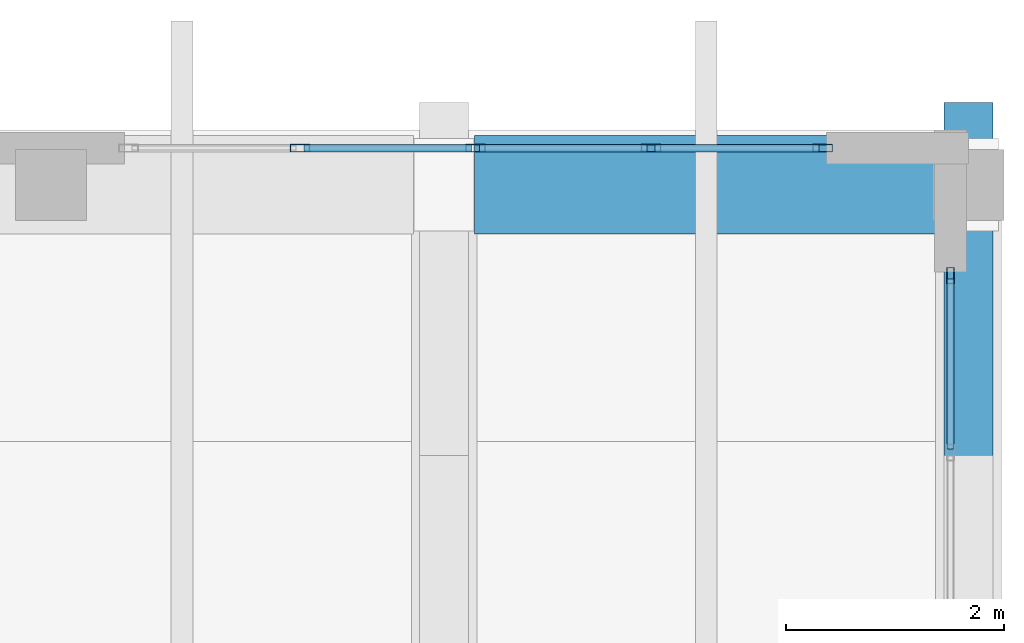
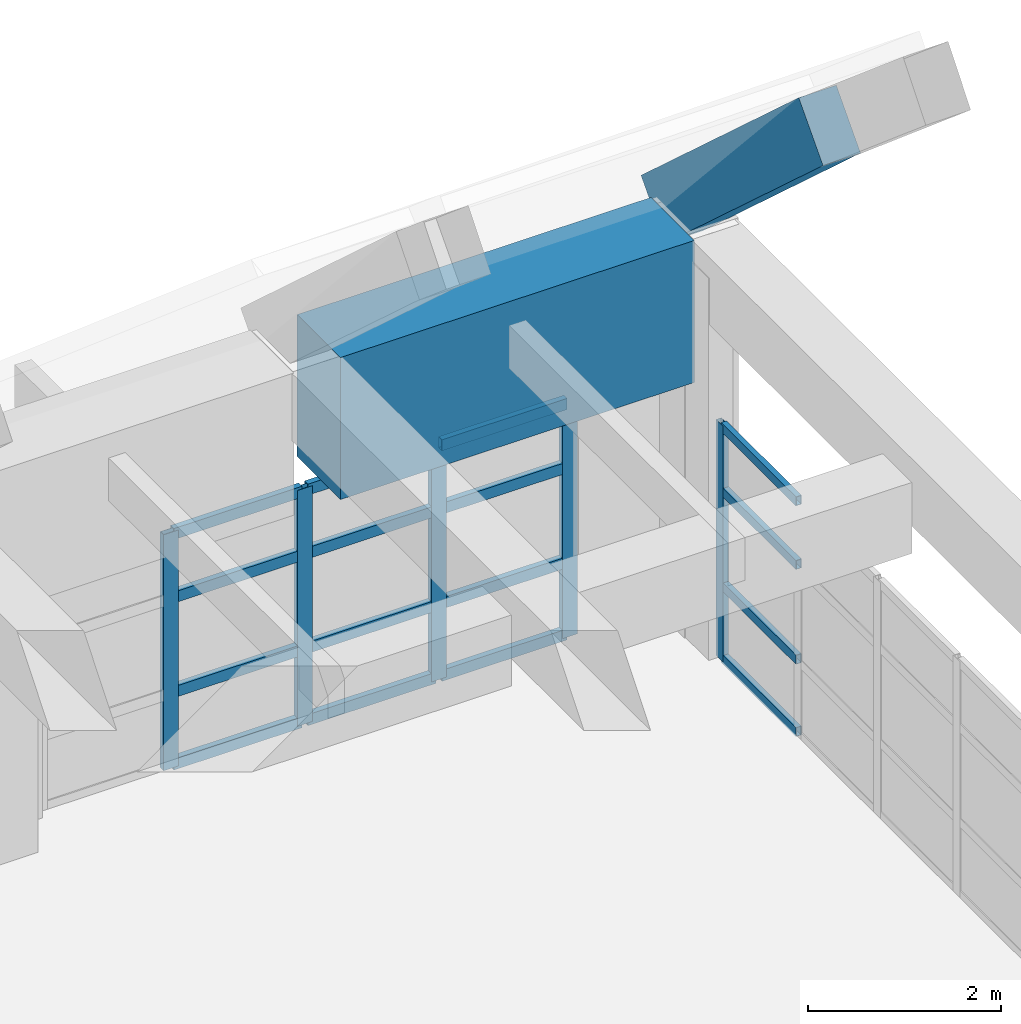
# One storey, part 54 of 78: 21 members, 2 beams, 2 elements without a shape of their own.
"""IFC4 building model written with IfcOpenShell, lengths in metres."""

from ifc_helpers import new_model, si_unit, direction, frame, origin, origin_2d, place, context, subcontext, project, spatial, rectangle, hollow_rectangle, extrude, material, layer, layer_set, material_profile, profile_set, type_object, element, aggregate, save


model = new_model("IFC4")

# Units and contexts
model_context = context("Model", 3, precision=1e-05, world=origin(), true_north=direction((0.0, 1.0)))
body_context = subcontext(model_context, "Body", "Model", "MODEL_VIEW")
ifc_project = project(units=[si_unit("LENGTHUNIT", "METRE"), si_unit("AREAUNIT", "SQUARE_METRE"), si_unit("VOLUMEUNIT", "CUBIC_METRE"), si_unit("PLANEANGLEUNIT", "RADIAN"), si_unit("MASSUNIT", "GRAM", prefix="KILO")], contexts=[model_context])

# Site, building, storey
site_placement = place(None, origin())
site = spatial("IfcSite", under=ifc_project, at=site_placement, CompositionType="ELEMENT")
building_placement = place(site_placement, origin())
building = spatial("IfcBuilding", under=site, at=building_placement, Name="Quendrovan Civic Courthouse", CompositionType="ELEMENT")
storey_placement = place(building_placement, frame((0.0, 0.0, 20.39990234375)))
storey = spatial("IfcBuildingStorey", under=building, at=storey_placement, Name="L05", CompositionType="ELEMENT", Elevation=20.39990234375)

# Beams
ifc_material_1 = material(Name="Concrete C45/55", Category="concrete")
ifc_material_profile_1 = material_profile(ifc_material_1, rectangle(XDim=0.89990234375, YDim=1.800048828125, at=origin_2d()), Name="RC-TG-900x1800")
ifc_profile_set_1 = profile_set([ifc_material_profile_1], Name="Concrete C45/55")
beam_type_1 = type_object("IfcBeamType", Name="BM-TG1800", PredefinedType="BEAM", material=ifc_profile_set_1)
beam_1_placement = place(storey_placement, frame((138.280029296875, 109.89990234375, 4.2001953125), z_axis=(1.0, 0.0, 0.0), x_axis=(0.0, 1.0, 0.0)))
element("IfcBeam", 1, at=beam_1_placement, inside=storey, type_object=beam_type_1, Name="BV1 Springing Collector Girder N-7", PredefinedType="BEAM", context=body_context, shape_type="SweptSolid", body=[
    extrude(rectangle(XDim=0.89990234375, YDim=1.800048828125, at=origin_2d()), origin(), (0.0, 0.0, 1.0), 4.239990234375),
])
ifc_material_2 = material(Name="Concrete C40/50", Category="concrete")
ifc_material_profile_2 = material_profile(ifc_material_2, rectangle(XDim=0.449951171875, YDim=0.75, at=origin_2d()), Name="RC-VRIB-450x750")
ifc_profile_set_2 = profile_set([ifc_material_profile_2], Name="Concrete C40/50")
beam_type_2 = type_object("IfcBeamType", Name="BM-VRIB750", PredefinedType="BEAM", material=ifc_profile_set_2)
beam_2_placement = place(storey_placement, frame((142.800048828125, 107.123291015625, 7.871826171875), z_axis=(0.0, 0.740733725172, -0.671798740988), x_axis=(-1.0, 0.0, 0.0)))
element("IfcBeam", 2, at=beam_2_placement, inside=storey, type_object=beam_type_2, Name="BV1 Concrete Vault Arch Rib A8-C8", PredefinedType="BEAM", context=body_context, shape_type="SweptSolid", body=[
    extrude(rectangle(XDim=0.449951171875, YDim=0.75, at=origin_2d()), origin(), (0.0, 0.0, 1.0), 4.423583984375),
])

# Curtain wall, members
ifc_material_3 = material(Name="Bronze anodised aluminium and low-E glass", Category="aluminium")
ifc_layer_1 = layer(ifc_material_3, 0.179931640625, Name="Bronze anodised aluminium and low-E glass")
ifc_layer_set_1 = layer_set([ifc_layer_1], Name="Bronze anodised aluminium and low-E glass")
curtain_wall_type_1 = type_object("IfcCurtainWallType", Name="CW-U64x30", PredefinedType="USERDEFINED", material=ifc_layer_set_1)
curtain_wall_1_placement = place(storey_placement, origin())
curtain_wall_1 = element("IfcCurtainWall", 3, at=curtain_wall_1_placement, inside=storey, type_object=curtain_wall_type_1, Name="L05 Unitised Hurricane Curtain Wall CW-194", ObjectType="UNITISED CURTAIN WALL", PredefinedType="USERDEFINED")
ifc_material_4 = material(Name="Bronze anodised aluminium", Category="aluminium")
ifc_material_profile_3 = material_profile(ifc_material_4, hollow_rectangle(XDim=0.070068359375, YDim=0.179931640625, WallThickness=0.00390625, at=origin_2d()), Name="CW-MULL-70x180")
ifc_profile_set_3 = profile_set([ifc_material_profile_3], Name="Bronze anodised aluminium")
member_type_1 = type_object("IfcMemberType", Name="CW-MULL-A", PredefinedType="MULLION", material=ifc_profile_set_3)
member_1_placement = place(storey_placement, frame((136.68115234375, 110.235107421875, 0.0), z_axis=(0.0, 0.0, 1.0), x_axis=(0.0, 1.0, 0.0)))
member_1 = element("IfcMember", 4, at=member_1_placement, type_object=member_type_1, Name="CW-194 mullion 2", PredefinedType="MULLION", context=body_context, shape_type="SweptSolid", body=[
    extrude(hollow_rectangle(XDim=0.070068359375, YDim=0.179931640625, WallThickness=0.00390625, at=origin_2d()), origin(), (0.0, 0.0, 1.0), 2.989990234375),
])
member_2_placement = place(storey_placement, frame((138.28759765625, 110.235107421875, 0.0), z_axis=(0.0, 0.0, 1.0), x_axis=(0.0, 1.0, 0.0)))
member_2 = element("IfcMember", 5, at=member_2_placement, type_object=member_type_1, Name="CW-194 mullion 3", PredefinedType="MULLION", context=body_context, shape_type="SweptSolid", body=[
    extrude(hollow_rectangle(XDim=0.070068359375, YDim=0.179931640625, WallThickness=0.00390625, at=origin_2d()), origin(), (0.0, 0.0, 1.0), 2.989990234375),
])
member_3_placement = place(storey_placement, frame((139.893798828125, 110.235107421875, 0.0), z_axis=(0.0, 0.0, 1.0), x_axis=(0.0, 1.0, 0.0)))
member_3 = element("IfcMember", 6, at=member_3_placement, type_object=member_type_1, Name="CW-194 mullion 4", PredefinedType="MULLION", context=body_context, shape_type="SweptSolid", body=[
    extrude(hollow_rectangle(XDim=0.070068359375, YDim=0.179931640625, WallThickness=0.00390625, at=origin_2d()), origin(), (0.0, 0.0, 1.0), 2.989990234375),
])
member_4_placement = place(storey_placement, frame((141.465087890625, 110.235107421875, 0.0), z_axis=(0.0, 0.0, 1.0), x_axis=(0.0, 1.0, 0.0)))
member_4 = element("IfcMember", 7, at=member_4_placement, type_object=member_type_1, Name="CW-194 mullion 5", PredefinedType="MULLION", context=body_context, shape_type="SweptSolid", body=[
    extrude(hollow_rectangle(XDim=0.070068359375, YDim=0.179931640625, WallThickness=0.00390625, at=origin_2d()), origin(), (0.0, 0.0, 1.0), 2.989990234375),
])

# Curtain wall, member
ifc_layer_2 = layer(ifc_material_3, 0.179931640625, Name="Bronze anodised aluminium and low-E glass")
ifc_layer_set_2 = layer_set([ifc_layer_2], Name="Bronze anodised aluminium and low-E glass")
curtain_wall_type_2 = type_object("IfcCurtainWallType", Name="CW-U66x30", PredefinedType="USERDEFINED", material=ifc_layer_set_2)
curtain_wall_2_placement = place(storey_placement, origin())
curtain_wall_2 = element("IfcCurtainWall", 8, at=curtain_wall_2_placement, inside=storey, type_object=curtain_wall_type_2, Name="L05 Unitised Hurricane Curtain Wall CW-195", ObjectType="UNITISED CURTAIN WALL", PredefinedType="USERDEFINED")
ifc_material_profile_4 = material_profile(ifc_material_4, hollow_rectangle(XDim=0.06494140625, YDim=0.14990234375, WallThickness=0.00390625, at=origin_2d()), Name="CW-MULL-65x150")
ifc_profile_set_4 = profile_set([ifc_material_profile_4], Name="Bronze anodised aluminium")
member_type_2 = type_object("IfcMemberType", Name="CW-MULL-B", PredefinedType="MULLION", material=ifc_profile_set_4)
member_5_placement = place(storey_placement, frame((142.635009765625, 109.0673828125, 0.0), z_axis=(0.0, 0.0, 1.0), x_axis=(1.0, 0.0, 0.0)))
member_5 = element("IfcMember", 9, at=member_5_placement, type_object=member_type_2, Name="CW-195 mullion 1", PredefinedType="MULLION", context=body_context, shape_type="SweptSolid", body=[
    extrude(hollow_rectangle(XDim=0.06494140625, YDim=0.14990234375, WallThickness=0.00390625, at=origin_2d()), origin(), (0.0, 0.0, 1.0), 2.989990234375),
])

# Member
ifc_material_profile_5 = material_profile(ifc_material_4, hollow_rectangle(XDim=0.070068359375, YDim=0.139892578125, WallThickness=0.00390625, at=origin_2d()), Name="CW-TRAN-70x140")
ifc_profile_set_5 = profile_set([ifc_material_profile_5], Name="Bronze anodised aluminium")
member_type_3 = type_object("IfcMemberType", Name="CW-TRAN-A", PredefinedType="USERDEFINED", material=ifc_profile_set_5)
member_6_placement = place(storey_placement, frame((136.71630859375, 110.235107421875, 0.03515625), z_axis=(1.0, 0.0, 0.0), x_axis=(0.0, 1.0, 0.0)))
member_6 = element("IfcMember", 10, at=member_6_placement, type_object=member_type_3, Name="CW-194 transom 2.1", ObjectType="TRANSOM", PredefinedType="USERDEFINED", context=body_context, shape_type="SweptSolid", body=[
    extrude(hollow_rectangle(XDim=0.070068359375, YDim=0.139892578125, WallThickness=0.00390625, at=origin_2d()), origin(), (0.0, 0.0, 1.0), 1.5361328125),
])

member_7_placement = place(storey_placement, frame((136.71630859375, 110.235107421875, 0.9501953125), z_axis=(1.0, 0.0, 0.0), x_axis=(0.0, 1.0, 0.0)))
member_7 = element("IfcMember", 11, at=member_7_placement, type_object=member_type_3, Name="CW-194 transom 2.2", ObjectType="TRANSOM", PredefinedType="USERDEFINED", context=body_context, shape_type="SweptSolid", body=[
    extrude(hollow_rectangle(XDim=0.070068359375, YDim=0.139892578125, WallThickness=0.00390625, at=origin_2d()), origin(), (0.0, 0.0, 1.0), 1.5361328125),
])

member_8_placement = place(storey_placement, frame((136.71630859375, 110.235107421875, 2.150146484375), z_axis=(1.0, 0.0, 0.0), x_axis=(0.0, 1.0, 0.0)))
member_8 = element("IfcMember", 12, at=member_8_placement, type_object=member_type_3, Name="CW-194 transom 2.3", ObjectType="TRANSOM", PredefinedType="USERDEFINED", context=body_context, shape_type="SweptSolid", body=[
    extrude(hollow_rectangle(XDim=0.070068359375, YDim=0.139892578125, WallThickness=0.00390625, at=origin_2d()), origin(), (0.0, 0.0, 1.0), 1.5361328125),
])

member_9_placement = place(storey_placement, frame((136.71630859375, 110.235107421875, 2.955078125), z_axis=(1.0, 0.0, 0.0), x_axis=(0.0, 1.0, 0.0)))
member_9 = element("IfcMember", 13, at=member_9_placement, type_object=member_type_3, Name="CW-194 transom 2.4", ObjectType="TRANSOM", PredefinedType="USERDEFINED", context=body_context, shape_type="SweptSolid", body=[
    extrude(hollow_rectangle(XDim=0.070068359375, YDim=0.139892578125, WallThickness=0.00390625, at=origin_2d()), origin(), (0.0, 0.0, 1.0), 1.5361328125),
])

member_10_placement = place(storey_placement, frame((138.322509765625, 110.235107421875, 0.03515625), z_axis=(1.0, 0.0, 0.0), x_axis=(0.0, 1.0, 0.0)))
member_10 = element("IfcMember", 14, at=member_10_placement, type_object=member_type_3, Name="CW-194 transom 3.1", ObjectType="TRANSOM", PredefinedType="USERDEFINED", context=body_context, shape_type="SweptSolid", body=[
    extrude(hollow_rectangle(XDim=0.070068359375, YDim=0.139892578125, WallThickness=0.00390625, at=origin_2d()), origin(), (0.0, 0.0, 1.0), 1.5361328125),
])

member_11_placement = place(storey_placement, frame((138.322509765625, 110.235107421875, 0.9501953125), z_axis=(1.0, 0.0, 0.0), x_axis=(0.0, 1.0, 0.0)))
member_11 = element("IfcMember", 15, at=member_11_placement, type_object=member_type_3, Name="CW-194 transom 3.2", ObjectType="TRANSOM", PredefinedType="USERDEFINED", context=body_context, shape_type="SweptSolid", body=[
    extrude(hollow_rectangle(XDim=0.070068359375, YDim=0.139892578125, WallThickness=0.00390625, at=origin_2d()), origin(), (0.0, 0.0, 1.0), 1.5361328125),
])

member_12_placement = place(storey_placement, frame((138.322509765625, 110.235107421875, 2.150146484375), z_axis=(1.0, 0.0, 0.0), x_axis=(0.0, 1.0, 0.0)))
member_12 = element("IfcMember", 16, at=member_12_placement, type_object=member_type_3, Name="CW-194 transom 3.3", ObjectType="TRANSOM", PredefinedType="USERDEFINED", context=body_context, shape_type="SweptSolid", body=[
    extrude(hollow_rectangle(XDim=0.070068359375, YDim=0.139892578125, WallThickness=0.00390625, at=origin_2d()), origin(), (0.0, 0.0, 1.0), 1.5361328125),
])

member_13_placement = place(storey_placement, frame((138.322509765625, 110.235107421875, 2.955078125), z_axis=(1.0, 0.0, 0.0), x_axis=(0.0, 1.0, 0.0)))
member_13 = element("IfcMember", 17, at=member_13_placement, type_object=member_type_3, Name="CW-194 transom 3.4", ObjectType="TRANSOM", PredefinedType="USERDEFINED", context=body_context, shape_type="SweptSolid", body=[
    extrude(hollow_rectangle(XDim=0.070068359375, YDim=0.139892578125, WallThickness=0.00390625, at=origin_2d()), origin(), (0.0, 0.0, 1.0), 1.5361328125),
])

member_14_placement = place(storey_placement, frame((139.9287109375, 110.235107421875, 0.03515625), z_axis=(1.0, 0.0, 0.0), x_axis=(0.0, 1.0, 0.0)))
member_14 = element("IfcMember", 18, at=member_14_placement, type_object=member_type_3, Name="CW-194 transom 4.1", ObjectType="TRANSOM", PredefinedType="USERDEFINED", context=body_context, shape_type="SweptSolid", body=[
    extrude(hollow_rectangle(XDim=0.070068359375, YDim=0.139892578125, WallThickness=0.00390625, at=origin_2d()), origin(), (0.0, 0.0, 1.0), 1.501220703125),
])

member_15_placement = place(storey_placement, frame((139.9287109375, 110.235107421875, 0.9501953125), z_axis=(1.0, 0.0, 0.0), x_axis=(0.0, 1.0, 0.0)))
member_15 = element("IfcMember", 19, at=member_15_placement, type_object=member_type_3, Name="CW-194 transom 4.2", ObjectType="TRANSOM", PredefinedType="USERDEFINED", context=body_context, shape_type="SweptSolid", body=[
    extrude(hollow_rectangle(XDim=0.070068359375, YDim=0.139892578125, WallThickness=0.00390625, at=origin_2d()), origin(), (0.0, 0.0, 1.0), 1.501220703125),
])

member_16_placement = place(storey_placement, frame((139.9287109375, 110.235107421875, 2.150146484375), z_axis=(1.0, 0.0, 0.0), x_axis=(0.0, 1.0, 0.0)))
member_16 = element("IfcMember", 20, at=member_16_placement, type_object=member_type_3, Name="CW-194 transom 4.3", ObjectType="TRANSOM", PredefinedType="USERDEFINED", context=body_context, shape_type="SweptSolid", body=[
    extrude(hollow_rectangle(XDim=0.070068359375, YDim=0.139892578125, WallThickness=0.00390625, at=origin_2d()), origin(), (0.0, 0.0, 1.0), 1.501220703125),
])

member_17_placement = place(storey_placement, frame((139.9287109375, 110.235107421875, 2.955078125), z_axis=(1.0, 0.0, 0.0), x_axis=(0.0, 1.0, 0.0)))
member_17 = element("IfcMember", 21, at=member_17_placement, type_object=member_type_3, Name="CW-194 transom 4.4", ObjectType="TRANSOM", PredefinedType="USERDEFINED", context=body_context, shape_type="SweptSolid", body=[
    extrude(hollow_rectangle(XDim=0.070068359375, YDim=0.139892578125, WallThickness=0.00390625, at=origin_2d()), origin(), (0.0, 0.0, 1.0), 1.501220703125),
])

aggregate(curtain_wall_1, [member_1, member_2, member_3, member_4, member_6, member_7, member_8, member_9, member_10, member_11, member_12, member_13, member_14, member_15, member_16, member_17])

ifc_material_profile_6 = material_profile(ifc_material_4, hollow_rectangle(XDim=0.06494140625, YDim=0.114990234375, WallThickness=0.00390625, at=origin_2d()), Name="CW-TRAN-65x115")
ifc_profile_set_6 = profile_set([ifc_material_profile_6], Name="Bronze anodised aluminium")
member_type_4 = type_object("IfcMemberType", Name="CW-TRAN-B", PredefinedType="USERDEFINED", material=ifc_profile_set_6)
member_18_placement = place(storey_placement, frame((142.635009765625, 109.034912109375, 0.03271484375), z_axis=(0.0, -1.0, 0.0), x_axis=(1.0, 0.0, 0.0)))
member_18 = element("IfcMember", 22, at=member_18_placement, type_object=member_type_4, Name="CW-195 transom 1.1", ObjectType="TRANSOM", PredefinedType="USERDEFINED", context=body_context, shape_type="SweptSolid", body=[
    extrude(hollow_rectangle(XDim=0.06494140625, YDim=0.114990234375, WallThickness=0.00390625, at=origin_2d()), origin(), (0.0, 0.0, 1.0), 1.552490234375),
])

member_19_placement = place(storey_placement, frame((142.635009765625, 109.034912109375, 0.9501953125), z_axis=(0.0, -1.0, 0.0), x_axis=(1.0, 0.0, 0.0)))
member_19 = element("IfcMember", 23, at=member_19_placement, type_object=member_type_4, Name="CW-195 transom 1.2", ObjectType="TRANSOM", PredefinedType="USERDEFINED", context=body_context, shape_type="SweptSolid", body=[
    extrude(hollow_rectangle(XDim=0.06494140625, YDim=0.114990234375, WallThickness=0.00390625, at=origin_2d()), origin(), (0.0, 0.0, 1.0), 1.552490234375),
])

member_20_placement = place(storey_placement, frame((142.635009765625, 109.034912109375, 2.150146484375), z_axis=(0.0, -1.0, 0.0), x_axis=(1.0, 0.0, 0.0)))
member_20 = element("IfcMember", 24, at=member_20_placement, type_object=member_type_4, Name="CW-195 transom 1.3", ObjectType="TRANSOM", PredefinedType="USERDEFINED", context=body_context, shape_type="SweptSolid", body=[
    extrude(hollow_rectangle(XDim=0.06494140625, YDim=0.114990234375, WallThickness=0.00390625, at=origin_2d()), origin(), (0.0, 0.0, 1.0), 1.552490234375),
])

member_21_placement = place(storey_placement, frame((142.635009765625, 109.034912109375, 2.95751953125), z_axis=(0.0, -1.0, 0.0), x_axis=(1.0, 0.0, 0.0)))
member_21 = element("IfcMember", 25, at=member_21_placement, type_object=member_type_4, Name="CW-195 transom 1.4", ObjectType="TRANSOM", PredefinedType="USERDEFINED", context=body_context, shape_type="SweptSolid", body=[
    extrude(hollow_rectangle(XDim=0.06494140625, YDim=0.114990234375, WallThickness=0.00390625, at=origin_2d()), origin(), (0.0, 0.0, 1.0), 1.552490234375),
])

aggregate(curtain_wall_2, [member_5, member_18, member_19, member_20, member_21])

save(model, "model.ifc")
